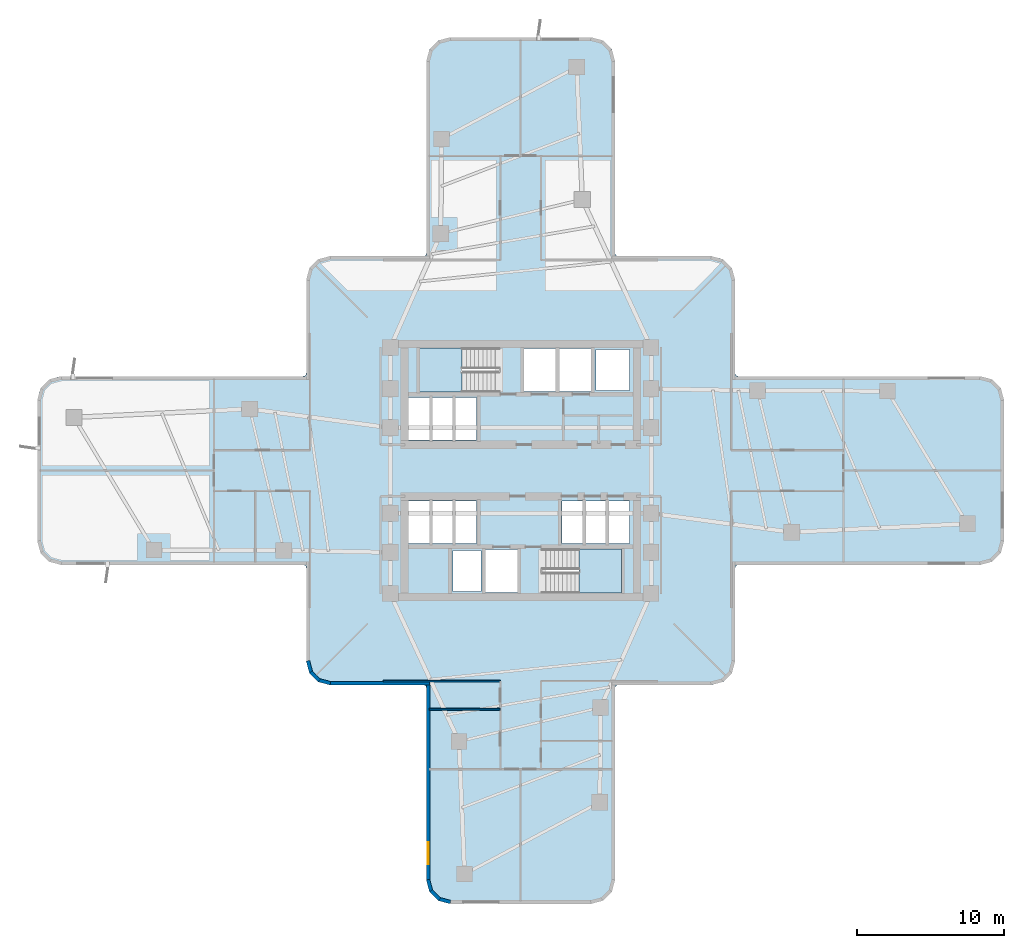
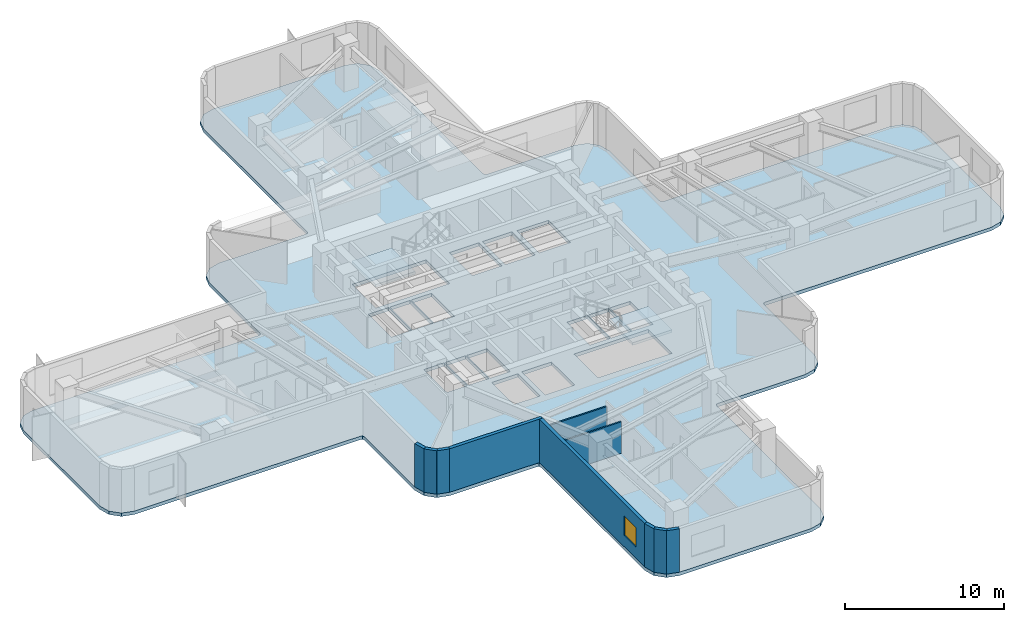
# One storey, part 2 of 9: 10 walls, 3 slabs, 1 window, 1 opening, 2 elements without a shape of their own.
"""IFC4 building model written with IfcOpenShell, lengths in metres."""

from ifc_helpers import new_model, si_unit, direction, frame, frame_2d, origin, place, context, subcontext, project, spatial, polyline, rectangle, outline, extrude, material, layer, layer_set, type_object, element, fill, aggregate, save


model = new_model("IFC4")

# Units and contexts
model_context = context("Model", 3, precision=1e-05, world=origin(), true_north=direction((0.0, 1.0)))
body_context = subcontext(model_context, "Body", "Model", "MODEL_VIEW")
ifc_project = project(units=[si_unit("LENGTHUNIT", "METRE"), si_unit("AREAUNIT", "SQUARE_METRE"), si_unit("VOLUMEUNIT", "CUBIC_METRE"), si_unit("PLANEANGLEUNIT", "RADIAN"), si_unit("MASSUNIT", "GRAM", prefix="KILO")], contexts=[model_context])

# Site, building, storey
site_placement = place(None, origin())
site = spatial("IfcSite", under=ifc_project, at=site_placement, CompositionType="ELEMENT")
building_placement = place(site_placement, origin())
building = spatial("IfcBuilding", under=site, at=building_placement, Name="Solmarez Civic Tower", CompositionType="ELEMENT")
storey_placement = place(building_placement, frame((0.0, 0.0, 28.080078125)))
storey = spatial("IfcBuildingStorey", under=building, at=storey_placement, Name="L06", CompositionType="ELEMENT", Elevation=28.080078125)

# Stair, slab
ifc_material_1 = material(Name="Concrete C50/60", Category="concrete")
stair_type = type_object("IfcStairType", Name="STAIR-DOGLEG-140W-20R-1800", PredefinedType="HALF_TURN_STAIR", material=ifc_material_1)
stair_1_placement = place(storey_placement, origin())
stair_1 = element("IfcStair", 1, at=stair_1_placement, inside=storey, type_object=stair_type, Name="L06 North Core Protected Exit Stair ST-1", PredefinedType="HALF_TURN_STAIR")
ifc_layer_1 = layer(ifc_material_1, 0.199951171875)
ifc_layer_set_1 = layer_set([ifc_layer_1], Name="Concrete C50/60")
slab_type_1 = type_object("IfcSlabType", Name="SLAB-LANDING-200", PredefinedType="LANDING", material=ifc_layer_set_1)
slab_1_placement = place(storey_placement, frame((0.0, 0.0, 1.599853515625)))
slab_1 = element("IfcSlab", 2, at=slab_1_placement, type_object=slab_type_1, Name="ST-1 landing 1", PredefinedType="LANDING", context=body_context, shape_type="SweptSolid", body=[
    extrude(outline(polyline([(-3.969970703125, 8.320068359375), (-6.85009765625, 8.320068359375), (-6.85009765625, 5.320068359375), (-3.969970703125, 5.320068359375), (-3.969970703125, 8.320068359375)])), origin(), (0.0, 0.0, 1.0), 0.199951171875),
])
aggregate(stair_1, [slab_1])

stair_2_placement = place(storey_placement, origin())
stair_2 = element("IfcStair", 3, at=stair_2_placement, inside=storey, type_object=stair_type, Name="L06 South Core Protected Exit Stair ST-2", PredefinedType="HALF_TURN_STAIR")
slab_2_placement = place(storey_placement, frame((0.0, 0.0, 1.599853515625)))
slab_2 = element("IfcSlab", 4, at=slab_2_placement, type_object=slab_type_1, Name="ST-2 landing 1", PredefinedType="LANDING", context=body_context, shape_type="SweptSolid", body=[
    extrude(outline(polyline([(3.969970703125, -8.320068359375), (6.85009765625, -8.320068359375), (6.85009765625, -5.320068359375), (3.969970703125, -5.320068359375), (3.969970703125, -8.320068359375)])), origin(), (0.0, 0.0, 1.0), 0.199951171875),
])
aggregate(stair_2, [slab_2])

# Slab
ifc_layer_2 = layer(ifc_material_1, 0.260009765625)
ifc_layer_set_2 = layer_set([ifc_layer_2], Name="Concrete C50/60")
slab_type_2 = type_object("IfcSlabType", Name="SLAB-TOWER-260", PredefinedType="FLOOR", material=ifc_layer_set_2)
slab_3_placement = place(storey_placement, frame((0.0, 0.0, -0.260009765625)))
element("IfcSlab", 5, at=slab_3_placement, inside=storey, type_object=slab_type_2, Name="L06 Structural Slab", PredefinedType="FLOOR", context=body_context, shape_type="SweptSolid", body=[
    extrude(outline(polyline([(-14.550048828125, -6.611083984375), (-14.550048828125, -12.949951171875), (-14.3359375, -13.75), (-13.75, -14.3359375), (-12.949951171875, -14.550048828125), (-6.611083984375, -14.550048828125), (-6.445068359375, -14.594970703125), (-6.39990234375, -14.760986328125), (-6.39990234375, -27.800048828125), (-6.18603515625, -28.60009765625), (-5.60009765625, -29.18603515625), (-4.800048828125, -29.39990234375), (4.800048828125, -29.39990234375), (5.60009765625, -29.18603515625), (6.18603515625, -28.60009765625), (6.39990234375, -27.800048828125), (6.39990234375, -14.760986328125), (6.445068359375, -14.594970703125), (6.611083984375, -14.550048828125), (12.949951171875, -14.550048828125), (13.75, -14.3359375), (14.3359375, -13.75), (14.550048828125, -12.949951171875), (14.550048828125, -6.611083984375), (14.594970703125, -6.445068359375), (14.760986328125, -6.39990234375), (31.199951171875, -6.39990234375), (32.0, -6.18603515625), (32.5859375, -5.60009765625), (32.800048828125, -4.800048828125), (32.800048828125, 4.800048828125), (32.5859375, 5.60009765625), (32.0, 6.18603515625), (31.199951171875, 6.39990234375), (14.760986328125, 6.39990234375), (14.594970703125, 6.445068359375), (14.550048828125, 6.611083984375), (14.550048828125, 12.949951171875), (14.3359375, 13.75), (13.75, 14.3359375), (12.949951171875, 14.550048828125), (6.611083984375, 14.550048828125), (6.445068359375, 14.594970703125), (6.39990234375, 14.760986328125), (6.39990234375, 27.800048828125), (6.18603515625, 28.60009765625), (5.60009765625, 29.18603515625), (4.800048828125, 29.39990234375), (-4.800048828125, 29.39990234375), (-5.60009765625, 29.18603515625), (-6.18603515625, 28.60009765625), (-6.39990234375, 27.800048828125), (-6.39990234375, 14.760986328125), (-6.445068359375, 14.594970703125), (-6.611083984375, 14.550048828125), (-12.949951171875, 14.550048828125), (-13.75, 14.3359375), (-14.3359375, 13.75), (-14.550048828125, 12.949951171875), (-14.550048828125, 6.611083984375), (-14.594970703125, 6.445068359375), (-14.760986328125, 6.39990234375), (-31.199951171875, 6.39990234375), (-32.0, 6.18603515625), (-32.5859375, 5.60009765625), (-32.800048828125, 4.800048828125), (-32.800048828125, -4.800048828125), (-32.5859375, -5.60009765625), (-32.0, -6.18603515625), (-31.199951171875, -6.39990234375), (-14.760986328125, -6.39990234375), (-14.594970703125, -6.445068359375), (-14.550048828125, -6.611083984375)]), holes=[polyline([(-1.449951171875, 8.320068359375), (-6.85009765625, 8.320068359375), (-6.85009765625, 5.320068359375), (-1.449951171875, 5.320068359375), (-1.449951171875, 8.320068359375)]), polyline([(1.449951171875, -8.320068359375), (6.85009765625, -8.320068359375), (6.85009765625, -5.320068359375), (1.449951171875, -5.320068359375), (1.449951171875, -8.320068359375)]), polyline([(0.219970703125, 5.360107421875), (2.3798828125, 5.360107421875), (2.3798828125, 8.280029296875), (0.219970703125, 8.280029296875), (0.219970703125, 5.360107421875)]), polyline([(2.6201171875, 5.360107421875), (4.780029296875, 5.360107421875), (4.780029296875, 8.280029296875), (2.6201171875, 8.280029296875), (2.6201171875, 5.360107421875)]), polyline([(-2.3798828125, -8.280029296875), (-0.219970703125, -8.280029296875), (-0.219970703125, -5.360107421875), (-2.3798828125, -5.360107421875), (-2.3798828125, -8.280029296875)]), polyline([(2.800048828125, -4.9599609375), (4.280029296875, -4.9599609375), (4.280029296875, -2.06005859375), (2.800048828125, -2.06005859375), (2.800048828125, -4.9599609375)]), polyline([(4.360107421875, -4.9599609375), (5.840087890625, -4.9599609375), (5.840087890625, -2.06005859375), (4.360107421875, -2.06005859375), (4.360107421875, -4.9599609375)]), polyline([(5.919921875, -4.9599609375), (7.39990234375, -4.9599609375), (7.39990234375, -2.06005859375), (5.919921875, -2.06005859375), (5.919921875, -4.9599609375)]), polyline([(-7.60009765625, -4.9599609375), (-6.1201171875, -4.9599609375), (-6.1201171875, -2.06005859375), (-7.60009765625, -2.06005859375), (-7.60009765625, -4.9599609375)]), polyline([(-6.0400390625, -4.9599609375), (-4.56005859375, -4.9599609375), (-4.56005859375, -2.06005859375), (-6.0400390625, -2.06005859375), (-6.0400390625, -4.9599609375)]), polyline([(-4.47998046875, -4.9599609375), (-3.0, -4.9599609375), (-3.0, -2.06005859375), (-4.47998046875, -2.06005859375), (-4.47998046875, -4.9599609375)]), polyline([(-7.60009765625, 2.06005859375), (-6.1201171875, 2.06005859375), (-6.1201171875, 4.9599609375), (-7.60009765625, 4.9599609375), (-7.60009765625, 2.06005859375)]), polyline([(-6.0400390625, 2.06005859375), (-4.56005859375, 2.06005859375), (-4.56005859375, 4.9599609375), (-6.0400390625, 4.9599609375), (-6.0400390625, 2.06005859375)]), polyline([(-4.47998046875, 2.06005859375), (-3.0, 2.06005859375), (-3.0, 4.9599609375), (-4.47998046875, 4.9599609375), (-4.47998046875, 2.06005859375)]), polyline([(5.10009765625, 5.419921875), (7.39990234375, 5.419921875), (7.39990234375, 8.219970703125), (5.10009765625, 8.219970703125), (5.10009765625, 5.419921875)]), polyline([(-4.60009765625, -8.219970703125), (-2.699951171875, -8.219970703125), (-2.699951171875, -5.419921875), (-4.60009765625, -5.419921875), (-4.60009765625, -8.219970703125)])]), origin(), (0.0, 0.0, 1.0), 0.260009765625),
])

# Walls
ifc_material_2 = material(Name="Precast concrete C40/50", Category="concrete")
ifc_layer_3 = layer(ifc_material_2, 0.239990234375)
ifc_layer_set_3 = layer_set([ifc_layer_3], Name="Precast concrete C40/50")
wall_type_1 = type_object("IfcWallType", Name="WALL-EXT-240", PredefinedType="SOLIDWALL", material=ifc_layer_set_3)
wall_1_placement = place(storey_placement, frame((-4.760009765625, -29.285888671875, 0.0), z_axis=(0.0, 0.0, 1.0), x_axis=(-0.966234939601, 0.25766265056, 0.0)))
element("IfcWall", 6, at=wall_1_placement, inside=storey, type_object=wall_type_1, Name="L06 Exterior Precast Wall 61", PredefinedType="SOLIDWALL", context=body_context, shape_type="SweptSolid", body=[
    extrude(rectangle(XDim=0.830078125, YDim=0.239990234375, at=frame_2d((0.4150390625, 0.0))), origin(), (0.0, 0.0, 1.0), 3.33984375),
])
wall_2_placement = place(storey_placement, frame((-5.52001953125, -29.095947265625, 0.0), z_axis=(0.0, 0.0, 1.0), x_axis=(-0.707106781187, 0.707106781187, 0.0)))
element("IfcWall", 7, at=wall_2_placement, inside=storey, type_object=wall_type_1, Name="L06 Exterior Precast Wall 62", PredefinedType="SOLIDWALL", context=body_context, shape_type="SweptSolid", body=[
    extrude(rectangle(XDim=0.814453125, YDim=0.239990234375, at=frame_2d((0.4072265625, 0.0))), origin(), (0.0, 0.0, 1.0), 3.33984375),
])
wall_3_placement = place(storey_placement, frame((-6.072021484375, -28.56201171875, 0.0), z_axis=(0.0, 0.0, 1.0), x_axis=(-0.25766265056, 0.966234939601, 0.0)))
element("IfcWall", 8, at=wall_3_placement, inside=storey, type_object=wall_type_1, Name="L06 Exterior Precast Wall 63", PredefinedType="SOLIDWALL", context=body_context, shape_type="SweptSolid", body=[
    extrude(rectangle(XDim=0.830078125, YDim=0.239990234375, at=frame_2d((0.4150390625, 0.0))), origin(), (0.0, 0.0, 1.0), 3.33984375),
])

# Wall, opening, window
wall_4_placement = place(storey_placement, frame((-6.280029296875, -27.80908203125, 0.0), z_axis=(0.0, 0.0, 1.0), x_axis=(0.0, 1.0, 0.0)))
wall_4 = element("IfcWall", 9, at=wall_4_placement, inside=storey, type_object=wall_type_1, Name="L06 Exterior Precast Wall 64", PredefinedType="SOLIDWALL", context=body_context, shape_type="SweptSolid", body=[
    extrude(rectangle(XDim=13.47509765625, YDim=0.239990234375, at=frame_2d((6.737548828125, 0.0))), origin(), (0.0, 0.0, 1.0), 3.33984375),
])
opening_placement = place(wall_4_placement, frame((1.10009765625, 0.0, 0.85009765625)))
opening = element("IfcOpeningElement", 10, at=opening_placement, cuts=wall_4, Name="Opening W-14", PredefinedType="OPENING", context=body_context, shape_type="SweptSolid", body=[
    extrude(rectangle(XDim=1.5, YDim=1.5, at=frame_2d((0.75, 0.75))), frame((0.0, 0.1298828125, 0.0), z_axis=(0.0, -1.0, 0.0), x_axis=(1.0, 0.0, 0.0)), (0.0, 0.0, 1.0), 0.260009765625),
])
ifc_material_3 = material(Name="Solar Control Bronze-Tinted Insulating Glass", Category="glass")
window_type = type_object("IfcWindowType", Name="WIN-1500X1500", PartitioningType="SINGLE_PANEL", PredefinedType="WINDOW", material=ifc_material_3)
window_placement = place(opening_placement, origin())
window = element("IfcWindow", 11, at=window_placement, inside=storey, type_object=window_type, Name="L06 Exterior Facade Window 64", OverallHeight=1.5, OverallWidth=1.5, PartitioningType="SINGLE_PANEL", PredefinedType="WINDOW", context=body_context, shape_type="SweptSolid", body=[
    extrude(rectangle(XDim=1.5, YDim=1.5, at=frame_2d((0.75, 0.75))), frame((0.0, 0.030029296875, 0.0), z_axis=(0.0, -1.0, 0.0), x_axis=(1.0, 0.0, 0.0)), (0.0, 0.0, 1.0), 0.06005859375),
])
fill(opening, window)

# Walls
wall_5_placement = place(storey_placement, frame((-6.18408203125, -14.429931640625, 0.0), z_axis=(0.0, 0.0, 1.0), x_axis=(-1.0, 0.0, 0.0)))
element("IfcWall", 12, at=wall_5_placement, inside=storey, type_object=wall_type_1, Name="L06 Exterior Precast Wall 67", PredefinedType="SOLIDWALL", context=body_context, shape_type="SweptSolid", body=[
    extrude(rectangle(XDim=6.77490234375, YDim=0.239990234375, at=frame_2d((3.387451171875, 0.0))), origin(), (0.0, 0.0, 1.0), 3.33984375),
])
wall_6_placement = place(storey_placement, frame((-12.909912109375, -14.43603515625, 0.0), z_axis=(0.0, 0.0, 1.0), x_axis=(-0.966161677396, 0.257937227116, 0.0)))
element("IfcWall", 13, at=wall_6_placement, inside=storey, type_object=wall_type_1, Name="L06 Exterior Precast Wall 68", PredefinedType="SOLIDWALL", context=body_context, shape_type="SweptSolid", body=[
    extrude(rectangle(XDim=0.830078125, YDim=0.239990234375, at=frame_2d((0.4150390625, 0.0))), origin(), (0.0, 0.0, 1.0), 3.33984375),
])
wall_7_placement = place(storey_placement, frame((-13.669921875, -14.24609375, 0.0), z_axis=(0.0, 0.0, 1.0), x_axis=(-0.707106781187, 0.707106781187, 0.0)))
element("IfcWall", 14, at=wall_7_placement, inside=storey, type_object=wall_type_1, Name="L06 Exterior Precast Wall 69", PredefinedType="SOLIDWALL", context=body_context, shape_type="SweptSolid", body=[
    extrude(rectangle(XDim=0.81494140625, YDim=0.239990234375, at=frame_2d((0.407470703125, 0.0))), origin(), (0.0, 0.0, 1.0), 3.33984375),
])
wall_8_placement = place(storey_placement, frame((-14.221923828125, -13.7119140625, 0.0), z_axis=(0.0, 0.0, 1.0), x_axis=(-0.257937227116, 0.966161677396, 0.0)))
element("IfcWall", 15, at=wall_8_placement, inside=storey, type_object=wall_type_1, Name="L06 Exterior Precast Wall 70", PredefinedType="SOLIDWALL", context=body_context, shape_type="SweptSolid", body=[
    extrude(rectangle(XDim=0.830078125, YDim=0.239990234375, at=frame_2d((0.4150390625, 0.0))), origin(), (0.0, 0.0, 1.0), 3.33984375),
])
ifc_material_4 = material(Name="Gypsum Board Acoustic Steel-Stud Partition", Category="steel")
ifc_layer_4 = layer(ifc_material_4, 0.110107421875)
ifc_layer_set_4 = layer_set([ifc_layer_4], Name="Gypsum Board Acoustic Steel-Stud Partition")
wall_type_2 = type_object("IfcWallType", Name="WALL-INT-PART-110", PredefinedType="PARTITIONING", material=ifc_layer_set_4)
wall_9_placement = place(storey_placement, frame((-9.320068359375, -14.2900390625, 0.0), z_axis=(0.0, 0.0, 1.0), x_axis=(1.0, 0.0, 0.0)))
element("IfcWall", 16, at=wall_9_placement, inside=storey, type_object=wall_type_2, Name="L06 Interior Partition PT-L06-S-EFR", PredefinedType="PARTITIONING", context=body_context, shape_type="SweptSolid", body=[
    extrude(rectangle(XDim=7.949951171875, YDim=0.110107421875, at=frame_2d((3.97509765625, 0.0))), origin(), (0.0, 0.0, 1.0), 2.4208984375),
])
wall_10_placement = place(storey_placement, frame((-6.195068359375, -16.199951171875, 0.0), z_axis=(0.0, 0.0, 1.0), x_axis=(1.0, 0.0, 0.0)))
element("IfcWall", 17, at=wall_10_placement, inside=storey, type_object=wall_type_2, Name="L06 Interior Partition PT-L06-S-RM", PredefinedType="PARTITIONING", context=body_context, shape_type="SweptSolid", body=[
    extrude(rectangle(XDim=4.795166015625, YDim=0.110107421875, at=frame_2d((2.3974609375, 0.0))), origin(), (0.0, 0.0, 1.0), 2.4208984375),
])

save(model, "model.ifc")
